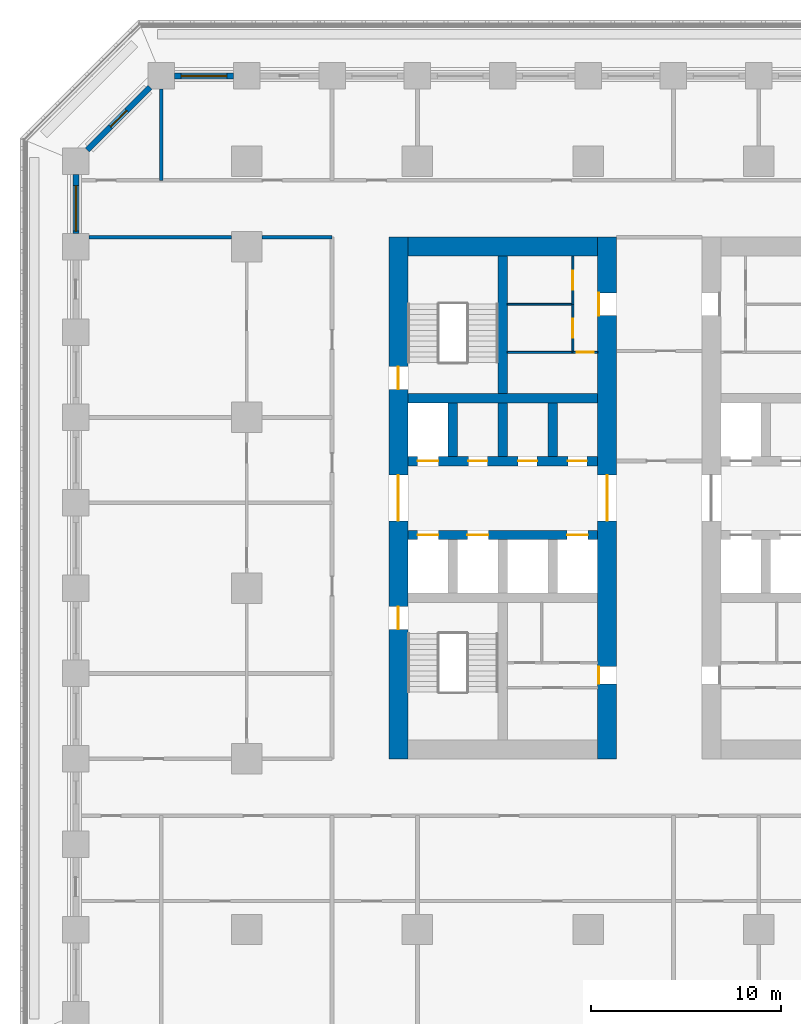
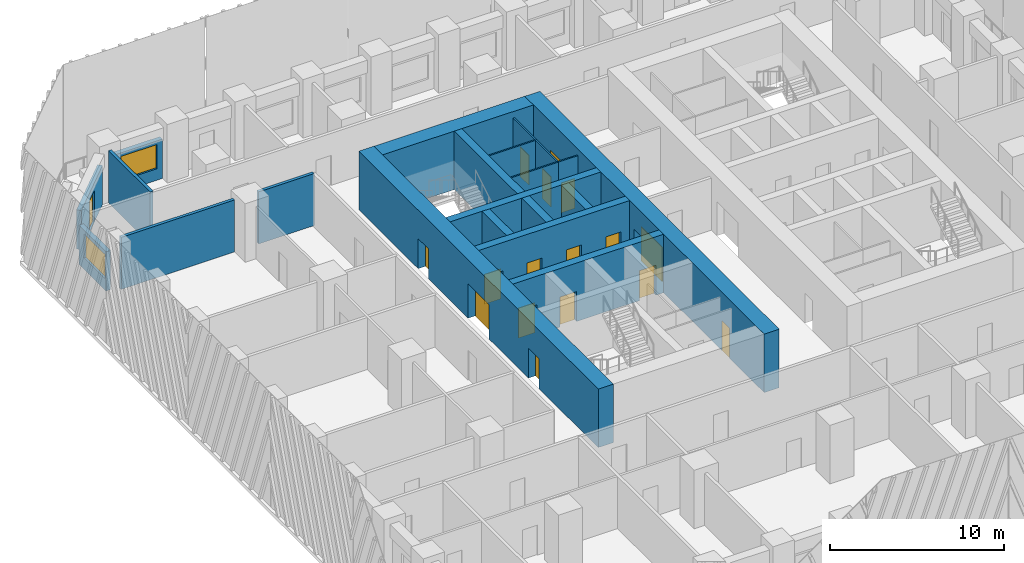
# One storey, part 6 of 15: 21 walls, 17 doors, 2 windows, 19 openings.
"""IFC4 building model written with IfcOpenShell, lengths in metres."""

from ifc_helpers import new_model, si_unit, direction, frame, frame_2d, origin, place, context, subcontext, project, spatial, rectangle, extrude, material, layer, layer_set, type_object, element, fill, save


model = new_model("IFC4")

# Units and contexts
model_context = context("Model", 3, precision=1e-05, world=origin(), true_north=direction((0.0, 1.0)))
body_context = subcontext(model_context, "Body", "Model", "MODEL_VIEW")
ifc_project = project(units=[si_unit("LENGTHUNIT", "METRE"), si_unit("AREAUNIT", "SQUARE_METRE"), si_unit("VOLUMEUNIT", "CUBIC_METRE"), si_unit("PLANEANGLEUNIT", "RADIAN"), si_unit("MASSUNIT", "GRAM", prefix="KILO")], contexts=[model_context])

# Site, building, storey
site_placement = place(None, origin())
site = spatial("IfcSite", under=ifc_project, at=site_placement, CompositionType="ELEMENT")
building_placement = place(site_placement, origin())
building = spatial("IfcBuilding", under=site, at=building_placement, Name="Corbel Stack Research Tower", CompositionType="ELEMENT")
storey_placement = place(building_placement, frame((0.0, 0.0, 23.60009765625)))
storey = spatial("IfcBuildingStorey", under=building, at=storey_placement, Name="L05", CompositionType="ELEMENT", Elevation=23.60009765625)

# Wall, openings, doors
ifc_material_1 = material(Name="Concrete C70/85", Category="concrete")
ifc_layer_1 = layer(ifc_material_1, 1.0)
ifc_layer_set_1 = layer_set([ifc_layer_1], Name="Concrete C70/85")
wall_type_1 = type_object("IfcWallType", Name="CW-1000-70", PredefinedType="SHEAR", material=ifc_layer_set_1)
wall_1_placement = place(storey_placement, frame((-10.0, -9.0, 0.0), z_axis=(0.0, 0.0, 1.0), x_axis=(0.0, 1.0, 0.0)))
wall_1 = element("IfcWall", 1, at=wall_1_placement, inside=storey, type_object=wall_type_1, Name="West core wall, west face L05", PredefinedType="SHEAR", context=body_context, shape_type="SweptSolid", body=[
    extrude(rectangle(XDim=27.5, YDim=1.0, at=frame_2d((13.75, 0.0))), origin(), (0.0, 0.0, 1.0), 4.099853515625),
])
opening_1_placement = place(wall_1_placement, frame((12.550048828125, 0.0, 0.0)))
opening_1 = element("IfcOpeningElement", 2, at=opening_1_placement, cuts=wall_1, Name="Opening CD-W-W", PredefinedType="OPENING", context=body_context, shape_type="SweptSolid", body=[
    extrude(rectangle(XDim=2.39990234375, YDim=2.39990234375, at=frame_2d((1.199951171875, 1.199951171875))), frame((0.0, 0.510009765625, 0.0), z_axis=(0.0, -1.0, 0.0), x_axis=(1.0, 0.0, 0.0)), (0.0, 0.0, 1.0), 1.02001953125),
])
opening_2_placement = place(wall_1_placement, frame((6.824951171875, 0.0, 0.0)))
opening_2 = element("IfcOpeningElement", 3, at=opening_2_placement, cuts=wall_1, Name="Opening SD-ST-W1", PredefinedType="OPENING", context=body_context, shape_type="SweptSolid", body=[
    extrude(rectangle(XDim=1.199951171875, YDim=2.10009765625, at=frame_2d((0.60009765625, 1.050048828125))), frame((0.0, 0.510009765625, 0.0), z_axis=(0.0, -1.0, 0.0), x_axis=(1.0, 0.0, 0.0)), (0.0, 0.0, 1.0), 1.02001953125),
])
opening_3_placement = place(wall_1_placement, frame((19.47509765625, 0.0, 0.0)))
opening_3 = element("IfcOpeningElement", 4, at=opening_3_placement, cuts=wall_1, Name="Opening SD-ST-W2", PredefinedType="OPENING", context=body_context, shape_type="SweptSolid", body=[
    extrude(rectangle(XDim=1.199951171875, YDim=2.10009765625, at=frame_2d((0.60009765625, 1.050048828125))), frame((0.0, 0.510009765625, 0.0), z_axis=(0.0, -1.0, 0.0), x_axis=(1.0, 0.0, 0.0)), (0.0, 0.0, 1.0), 1.02001953125),
])
ifc_material_2 = material(Name="Painted steel fire door", Category="steel")
door_type_1 = type_object("IfcDoorType", Name="Lobby door pair 2400 x 2400 FD30S", OperationType="DOUBLE_DOOR_DOUBLE_SWING", PredefinedType="DOOR", material=ifc_material_2)
door_1_placement = place(opening_1_placement, origin())
door_1 = element("IfcDoor", 5, at=door_1_placement, inside=storey, type_object=door_type_1, Name="Lift lobby door W core W", OperationType="DOUBLE_DOOR_DOUBLE_SWING", OverallHeight=2.39990234375, OverallWidth=2.39990234375, PredefinedType="DOOR", context=body_context, shape_type="SweptSolid", body=[
    extrude(rectangle(XDim=2.39990234375, YDim=2.39990234375, at=frame_2d((1.199951171875, 1.199951171875))), frame((0.0, 0.02490234375, 0.0), z_axis=(0.0, -1.0, 0.0), x_axis=(1.0, 0.0, 0.0)), (0.0, 0.0, 1.0), 0.050048828125),
])
fill(opening_1, door_1)
ifc_material_3 = material(Name="Painted steel fire door", Category="steel")
door_type_2 = type_object("IfcDoorType", Name="Stair door 1200 x 2100 FD90 left hand", OperationType="SINGLE_SWING_LEFT", PredefinedType="DOOR", material=ifc_material_3)
door_2_placement = place(opening_2_placement, origin())
door_2 = element("IfcDoor", 6, at=door_2_placement, inside=storey, type_object=door_type_2, Name="Stair door ST-W1", OperationType="SINGLE_SWING_LEFT", OverallHeight=2.10009765625, OverallWidth=1.199951171875, PredefinedType="DOOR", context=body_context, shape_type="SweptSolid", body=[
    extrude(rectangle(XDim=1.199951171875, YDim=2.10009765625, at=frame_2d((0.60009765625, 1.050048828125))), frame((0.0, 0.02490234375, 0.0), z_axis=(0.0, -1.0, 0.0), x_axis=(1.0, 0.0, 0.0)), (0.0, 0.0, 1.0), 0.050048828125),
])
fill(opening_2, door_2)
door_3_placement = place(opening_3_placement, origin())
door_3 = element("IfcDoor", 7, at=door_3_placement, inside=storey, type_object=door_type_2, Name="Stair door ST-W2", OperationType="SINGLE_SWING_LEFT", OverallHeight=2.10009765625, OverallWidth=1.199951171875, PredefinedType="DOOR", context=body_context, shape_type="SweptSolid", body=[
    extrude(rectangle(XDim=1.199951171875, YDim=2.10009765625, at=frame_2d((0.60009765625, 1.050048828125))), frame((0.0, 0.02490234375, 0.0), z_axis=(0.0, -1.0, 0.0), x_axis=(1.0, 0.0, 0.0)), (0.0, 0.0, 1.0), 0.050048828125),
])
fill(opening_3, door_3)

wall_2_placement = place(storey_placement, frame((1.0, -9.0, 0.0), z_axis=(0.0, 0.0, 1.0), x_axis=(0.0, 1.0, 0.0)))
wall_2 = element("IfcWall", 8, at=wall_2_placement, inside=storey, type_object=wall_type_1, Name="West core wall, east face L05", PredefinedType="SHEAR", context=body_context, shape_type="SweptSolid", body=[
    extrude(rectangle(XDim=27.5, YDim=1.0, at=frame_2d((13.75, 0.0))), origin(), (0.0, 0.0, 1.0), 4.099853515625),
])
opening_4_placement = place(wall_2_placement, frame((12.550048828125, 0.0, 0.0)))
opening_4 = element("IfcOpeningElement", 9, at=opening_4_placement, cuts=wall_2, Name="Opening CD-W-E", PredefinedType="OPENING", context=body_context, shape_type="SweptSolid", body=[
    extrude(rectangle(XDim=2.39990234375, YDim=2.39990234375, at=frame_2d((1.199951171875, 1.199951171875))), frame((0.0, 0.510009765625, 0.0), z_axis=(0.0, -1.0, 0.0), x_axis=(1.0, 0.0, 0.0)), (0.0, 0.0, 1.0), 1.02001953125),
])
opening_5_placement = place(wall_2_placement, frame((3.955078125, 0.0, 0.0)))
opening_5 = element("IfcOpeningElement", 10, at=opening_5_placement, cuts=wall_2, Name="Opening CR-W24-W1-905", PredefinedType="OPENING", context=body_context, shape_type="SweptSolid", body=[
    extrude(rectangle(XDim=0.905029296875, YDim=2.10009765625, at=frame_2d((0.45263671875, 1.050048828125))), frame((0.0, 0.510009765625, 0.0), z_axis=(0.0, -1.0, 0.0), x_axis=(1.0, 0.0, 0.0)), (0.0, 0.0, 1.0), 1.02001953125),
])
opening_6_placement = place(wall_2_placement, frame((23.362548828125, 0.0, 0.0)))
opening_6 = element("IfcOpeningElement", 11, at=opening_6_placement, cuts=wall_2, Name="Opening CR-W24-R2-1200", PredefinedType="OPENING", context=body_context, shape_type="SweptSolid", body=[
    extrude(rectangle(XDim=1.199951171875, YDim=2.10009765625, at=frame_2d((0.60009765625, 1.050048828125))), frame((0.0, 0.510009765625, 0.0), z_axis=(0.0, -1.0, 0.0), x_axis=(1.0, 0.0, 0.0)), (0.0, 0.0, 1.0), 1.02001953125),
])
door_4_placement = place(opening_4_placement, origin())
door_4 = element("IfcDoor", 12, at=door_4_placement, inside=storey, type_object=door_type_1, Name="Lift lobby door W core E", OperationType="DOUBLE_DOOR_DOUBLE_SWING", OverallHeight=2.39990234375, OverallWidth=2.39990234375, PredefinedType="DOOR", context=body_context, shape_type="SweptSolid", body=[
    extrude(rectangle(XDim=2.39990234375, YDim=2.39990234375, at=frame_2d((1.199951171875, 1.199951171875))), frame((0.0, 0.02490234375, 0.0), z_axis=(0.0, -1.0, 0.0), x_axis=(1.0, 0.0, 0.0)), (0.0, 0.0, 1.0), 0.050048828125),
])
fill(opening_4, door_4)
ifc_material_4 = material(Name="Painted steel door", Category="steel")
door_type_3 = type_object("IfcDoorType", Name="Service door 1200 x 2100 FD30 right hand", OperationType="SINGLE_SWING_RIGHT", PredefinedType="DOOR", material=ifc_material_4)
door_5_placement = place(opening_6_placement, origin())
door_5 = element("IfcDoor", 13, at=door_5_placement, inside=storey, type_object=door_type_3, Name="Service passage door W core", OperationType="SINGLE_SWING_RIGHT", OverallHeight=2.10009765625, OverallWidth=1.199951171875, PredefinedType="DOOR", context=body_context, shape_type="SweptSolid", body=[
    extrude(rectangle(XDim=1.199951171875, YDim=2.10009765625, at=frame_2d((0.60009765625, 1.050048828125))), frame((0.0, 0.47509765625, 0.0), z_axis=(0.0, -1.0, 0.0), x_axis=(1.0, 0.0, 0.0)), (0.0, 0.0, 1.0), 0.050048828125),
])
fill(opening_6, door_5)
ifc_material_5 = material(Name="Painted timber door", Category="wood")
door_type_4 = type_object("IfcDoorType", Name="WC door 905 x 2100 left hand", OperationType="SINGLE_SWING_LEFT", PredefinedType="DOOR", material=ifc_material_5)
door_6_placement = place(opening_5_placement, origin())
door_6 = element("IfcDoor", 14, at=door_6_placement, inside=storey, type_object=door_type_4, Name="WC lobby door W core", OperationType="SINGLE_SWING_LEFT", OverallHeight=2.10009765625, OverallWidth=0.905029296875, PredefinedType="DOOR", context=body_context, shape_type="SweptSolid", body=[
    extrude(rectangle(XDim=0.905029296875, YDim=2.10009765625, at=frame_2d((0.45263671875, 1.050048828125))), frame((0.0, 0.47509765625, 0.0), z_axis=(0.0, -1.0, 0.0), x_axis=(1.0, 0.0, 0.0)), (0.0, 0.0, 1.0), 0.050048828125),
])
fill(opening_5, door_6)

# Wall
wall_3_placement = place(storey_placement, frame((-9.5, 18.0, 0.0), z_axis=(0.0, 0.0, 1.0), x_axis=(1.0, 0.0, 0.0)))
element("IfcWall", 15, at=wall_3_placement, inside=storey, type_object=wall_type_1, Name="West core wall, north end L05", PredefinedType="SHEAR", context=body_context, shape_type="SweptSolid", body=[
    extrude(rectangle(XDim=10.0, YDim=1.0, at=frame_2d((5.0, 0.0))), origin(), (0.0, 0.0, 1.0), 4.099853515625),
])

# Wall, openings, doors
ifc_material_6 = material(Name="Concrete C70/85", Category="concrete")
ifc_layer_2 = layer(ifc_material_6, 0.5)
ifc_layer_set_2 = layer_set([ifc_layer_2], Name="Concrete C70/85")
wall_type_2 = type_object("IfcWallType", Name="CW-500-70", PredefinedType="SHEAR", material=ifc_layer_set_2)
wall_4_placement = place(storey_placement, frame((-9.5, 2.800048828125, 0.0), z_axis=(0.0, 0.0, 1.0), x_axis=(1.0, 0.0, 0.0)))
wall_4 = element("IfcWall", 16, at=wall_4_placement, inside=storey, type_object=wall_type_2, Name="West core wall, lobby south L05", PredefinedType="SHEAR", context=body_context, shape_type="SweptSolid", body=[
    extrude(rectangle(XDim=10.0, YDim=0.5, at=frame_2d((5.0, 0.0))), origin(), (0.0, 0.0, 1.0), 4.099853515625),
])
opening_7_placement = place(wall_4_placement, frame((0.512451171875, 0.0, 0.0)))
opening_7 = element("IfcOpeningElement", 17, at=opening_7_placement, cuts=wall_4, Name="Opening LD-FS1", PredefinedType="OPENING", context=body_context, shape_type="SweptSolid", body=[
    extrude(rectangle(XDim=1.10009765625, YDim=2.10009765625, at=frame_2d((0.550048828125, 1.050048828125))), frame((0.0, 0.260009765625, 0.0), z_axis=(0.0, -1.0, 0.0), x_axis=(1.0, 0.0, 0.0)), (0.0, 0.0, 1.0), 0.52001953125),
])
opening_8_placement = place(wall_4_placement, frame((3.137451171875, 0.0, 0.0)))
opening_8 = element("IfcOpeningElement", 18, at=opening_8_placement, cuts=wall_4, Name="Opening LD-GL1", PredefinedType="OPENING", context=body_context, shape_type="SweptSolid", body=[
    extrude(rectangle(XDim=1.10009765625, YDim=2.10009765625, at=frame_2d((0.550048828125, 1.050048828125))), frame((0.0, 0.260009765625, 0.0), z_axis=(0.0, -1.0, 0.0), x_axis=(1.0, 0.0, 0.0)), (0.0, 0.0, 1.0), 0.52001953125),
])
opening_9_placement = place(wall_4_placement, frame((8.387451171875, 0.0, 0.0)))
opening_9 = element("IfcOpeningElement", 19, at=opening_9_placement, cuts=wall_4, Name="Opening LD-LR1", PredefinedType="OPENING", context=body_context, shape_type="SweptSolid", body=[
    extrude(rectangle(XDim=1.10009765625, YDim=2.10009765625, at=frame_2d((0.550048828125, 1.050048828125))), frame((0.0, 0.260009765625, 0.0), z_axis=(0.0, -1.0, 0.0), x_axis=(1.0, 0.0, 0.0)), (0.0, 0.0, 1.0), 0.52001953125),
])
ifc_material_7 = material(Name="Stainless steel landing door", Category="steel")
door_type_5 = type_object("IfcDoorType", Name="Lift landing door 1100 x 2100", OperationType="DOUBLE_DOOR_SLIDING", PredefinedType="DOOR", material=ifc_material_7)
door_7_placement = place(opening_7_placement, origin())
door_7 = element("IfcDoor", 20, at=door_7_placement, inside=storey, type_object=door_type_5, Name="Landing door FS1", OperationType="DOUBLE_DOOR_SLIDING", OverallHeight=2.10009765625, OverallWidth=1.10009765625, PredefinedType="DOOR", context=body_context, shape_type="SweptSolid", body=[
    extrude(rectangle(XDim=1.10009765625, YDim=2.10009765625, at=frame_2d((0.550048828125, 1.050048828125))), frame((0.0, 0.02490234375, 0.0), z_axis=(0.0, -1.0, 0.0), x_axis=(1.0, 0.0, 0.0)), (0.0, 0.0, 1.0), 0.050048828125),
])
fill(opening_7, door_7)
door_8_placement = place(opening_8_placement, origin())
door_8 = element("IfcDoor", 21, at=door_8_placement, inside=storey, type_object=door_type_5, Name="Landing door GL1", OperationType="DOUBLE_DOOR_SLIDING", OverallHeight=2.10009765625, OverallWidth=1.10009765625, PredefinedType="DOOR", context=body_context, shape_type="SweptSolid", body=[
    extrude(rectangle(XDim=1.10009765625, YDim=2.10009765625, at=frame_2d((0.550048828125, 1.050048828125))), frame((0.0, 0.02490234375, 0.0), z_axis=(0.0, -1.0, 0.0), x_axis=(1.0, 0.0, 0.0)), (0.0, 0.0, 1.0), 0.050048828125),
])
fill(opening_8, door_8)
door_9_placement = place(opening_9_placement, origin())
door_9 = element("IfcDoor", 22, at=door_9_placement, inside=storey, type_object=door_type_5, Name="Landing door LR1", OperationType="DOUBLE_DOOR_SLIDING", OverallHeight=2.10009765625, OverallWidth=1.10009765625, PredefinedType="DOOR", context=body_context, shape_type="SweptSolid", body=[
    extrude(rectangle(XDim=1.10009765625, YDim=2.10009765625, at=frame_2d((0.550048828125, 1.050048828125))), frame((0.0, 0.02490234375, 0.0), z_axis=(0.0, -1.0, 0.0), x_axis=(1.0, 0.0, 0.0)), (0.0, 0.0, 1.0), 0.050048828125),
])
fill(opening_9, door_9)

wall_5_placement = place(storey_placement, frame((-9.5, 6.699951171875, 0.0), z_axis=(0.0, 0.0, 1.0), x_axis=(1.0, 0.0, 0.0)))
wall_5 = element("IfcWall", 23, at=wall_5_placement, inside=storey, type_object=wall_type_2, Name="West core wall, lobby north L05", PredefinedType="SHEAR", context=body_context, shape_type="SweptSolid", body=[
    extrude(rectangle(XDim=10.0, YDim=0.5, at=frame_2d((5.0, 0.0))), origin(), (0.0, 0.0, 1.0), 4.099853515625),
])
opening_10_placement = place(wall_5_placement, frame((0.512451171875, 0.0, 0.0)))
opening_10 = element("IfcOpeningElement", 24, at=opening_10_placement, cuts=wall_5, Name="Opening LD-LR2", PredefinedType="OPENING", context=body_context, shape_type="SweptSolid", body=[
    extrude(rectangle(XDim=1.10009765625, YDim=2.10009765625, at=frame_2d((0.550048828125, 1.050048828125))), frame((0.0, 0.260009765625, 0.0), z_axis=(0.0, -1.0, 0.0), x_axis=(1.0, 0.0, 0.0)), (0.0, 0.0, 1.0), 0.52001953125),
])
opening_11_placement = place(wall_5_placement, frame((3.1875, 0.0, 0.0)))
opening_11 = element("IfcOpeningElement", 25, at=opening_11_placement, cuts=wall_5, Name="Opening CR-W24-N2", PredefinedType="OPENING", context=body_context, shape_type="SweptSolid", body=[
    extrude(rectangle(XDim=1.0, YDim=2.10009765625, at=frame_2d((0.5, 1.050048828125))), frame((0.0, 0.260009765625, 0.0), z_axis=(0.0, -1.0, 0.0), x_axis=(1.0, 0.0, 0.0)), (0.0, 0.0, 1.0), 0.52001953125),
])
opening_12_placement = place(wall_5_placement, frame((5.8125, 0.0, 0.0)))
opening_12 = element("IfcOpeningElement", 26, at=opening_12_placement, cuts=wall_5, Name="Opening CR-W24-N3", PredefinedType="OPENING", context=body_context, shape_type="SweptSolid", body=[
    extrude(rectangle(XDim=1.0, YDim=2.10009765625, at=frame_2d((0.5, 1.050048828125))), frame((0.0, 0.260009765625, 0.0), z_axis=(0.0, -1.0, 0.0), x_axis=(1.0, 0.0, 0.0)), (0.0, 0.0, 1.0), 0.52001953125),
])
opening_13_placement = place(wall_5_placement, frame((8.4375, 0.0, 0.0)))
opening_13 = element("IfcOpeningElement", 27, at=opening_13_placement, cuts=wall_5, Name="Opening CR-W24-N4", PredefinedType="OPENING", context=body_context, shape_type="SweptSolid", body=[
    extrude(rectangle(XDim=1.0, YDim=2.10009765625, at=frame_2d((0.5, 1.050048828125))), frame((0.0, 0.260009765625, 0.0), z_axis=(0.0, -1.0, 0.0), x_axis=(1.0, 0.0, 0.0)), (0.0, 0.0, 1.0), 0.52001953125),
])
door_10_placement = place(opening_10_placement, origin())
door_10 = element("IfcDoor", 28, at=door_10_placement, inside=storey, type_object=door_type_5, Name="Landing door LR2", OperationType="DOUBLE_DOOR_SLIDING", OverallHeight=2.10009765625, OverallWidth=1.10009765625, PredefinedType="DOOR", context=body_context, shape_type="SweptSolid", body=[
    extrude(rectangle(XDim=1.10009765625, YDim=2.10009765625, at=frame_2d((0.550048828125, 1.050048828125))), frame((0.0, 0.02490234375, 0.0), z_axis=(0.0, -1.0, 0.0), x_axis=(1.0, 0.0, 0.0)), (0.0, 0.0, 1.0), 0.050048828125),
])
fill(opening_10, door_10)
ifc_material_8 = material(Name="Painted steel door", Category="steel")
door_type_6 = type_object("IfcDoorType", Name="Service door 1000 x 2100 FD60 left hand", OperationType="SINGLE_SWING_LEFT", PredefinedType="DOOR", material=ifc_material_8)
door_11_placement = place(opening_12_placement, origin())
door_11 = element("IfcDoor", 29, at=door_11_placement, inside=storey, type_object=door_type_6, Name="Electrical room door W core", OperationType="SINGLE_SWING_LEFT", OverallHeight=2.10009765625, OverallWidth=1.0, PredefinedType="DOOR", context=body_context, shape_type="SweptSolid", body=[
    extrude(rectangle(XDim=1.0, YDim=2.10009765625, at=frame_2d((0.5, 1.050048828125))), frame((0.0, 0.02490234375, 0.0), z_axis=(0.0, -1.0, 0.0), x_axis=(1.0, 0.0, 0.0)), (0.0, 0.0, 1.0), 0.050048828125),
])
fill(opening_12, door_11)
ifc_material_9 = material(Name="Painted steel door", Category="steel")
door_type_7 = type_object("IfcDoorType", Name="Service door 1000 x 2100 FD60 right hand", OperationType="SINGLE_SWING_RIGHT", PredefinedType="DOOR", material=ifc_material_9)
door_12_placement = place(opening_11_placement, origin())
door_12 = element("IfcDoor", 30, at=door_12_placement, inside=storey, type_object=door_type_7, Name="Records store door W core", OperationType="SINGLE_SWING_RIGHT", OverallHeight=2.10009765625, OverallWidth=1.0, PredefinedType="DOOR", context=body_context, shape_type="SweptSolid", body=[
    extrude(rectangle(XDim=1.0, YDim=2.10009765625, at=frame_2d((0.5, 1.050048828125))), frame((0.0, 0.02490234375, 0.0), z_axis=(0.0, -1.0, 0.0), x_axis=(1.0, 0.0, 0.0)), (0.0, 0.0, 1.0), 0.050048828125),
])
fill(opening_11, door_12)
door_13_placement = place(opening_13_placement, origin())
door_13 = element("IfcDoor", 31, at=door_13_placement, inside=storey, type_object=door_type_7, Name="Pantry door W core", OperationType="SINGLE_SWING_RIGHT", OverallHeight=2.10009765625, OverallWidth=1.0, PredefinedType="DOOR", context=body_context, shape_type="SweptSolid", body=[
    extrude(rectangle(XDim=1.0, YDim=2.10009765625, at=frame_2d((0.5, 1.050048828125))), frame((0.0, 0.02490234375, 0.0), z_axis=(0.0, -1.0, 0.0), x_axis=(1.0, 0.0, 0.0)), (0.0, 0.0, 1.0), 0.050048828125),
])
fill(opening_13, door_13)

# Walls
wall_6_placement = place(storey_placement, frame((-9.5, 10.0, 0.0), z_axis=(0.0, 0.0, 1.0), x_axis=(1.0, 0.0, 0.0)))
element("IfcWall", 32, at=wall_6_placement, inside=storey, type_object=wall_type_2, Name="West core wall, north row back L05", PredefinedType="SHEAR", context=body_context, shape_type="SweptSolid", body=[
    extrude(rectangle(XDim=10.0, YDim=0.5, at=frame_2d((5.0, 0.0))), origin(), (0.0, 0.0, 1.0), 4.099853515625),
])
for number, where, z_axis, x_axis, name in (
    (33, (-7.125, 6.949951171875, 0.0), (0.0, 0.0, 1.0), (0.0, 1.0, 0.0), "West core wall, north shaft 1 L05"),
    (34, (-4.5, 6.949951171875, 0.0), (0.0, 0.0, 1.0), (0.0, 1.0, 0.0), "West core wall, north shaft 2 L05"),
    (35, (-1.875, 6.949951171875, 0.0), (0.0, 0.0, 1.0), (0.0, 1.0, 0.0), "West core wall, north shaft 3 L05"),
):
    element("IfcWall", number, at=place(storey_placement, frame(where, z_axis=z_axis, x_axis=x_axis)), inside=storey, type_object=wall_type_2, Name=name, PredefinedType="SHEAR", context=body_context, shape_type="SweptSolid", body=[
        extrude(rectangle(XDim=2.800048828125, YDim=0.5, at=frame_2d((1.39990234375, 0.0))), origin(), (0.0, 0.0, 1.0), 4.099853515625),
    ])
wall_7_placement = place(storey_placement, frame((-4.5, 10.25, 0.0), z_axis=(0.0, 0.0, 1.0), x_axis=(0.0, 1.0, 0.0)))
element("IfcWall", 36, at=wall_7_placement, inside=storey, type_object=wall_type_2, Name="West core wall, north stair and riser L05", PredefinedType="SHEAR", context=body_context, shape_type="SweptSolid", body=[
    extrude(rectangle(XDim=7.25, YDim=0.5, at=frame_2d((3.625, 0.0))), origin(), (0.0, 0.0, 1.0), 4.099853515625),
])

# Wall, opening, door
ifc_material_10 = material(Name="Gypsum board")
ifc_layer_3 = layer(ifc_material_10, 0.10009765625)
ifc_layer_set_3 = layer_set([ifc_layer_3], Name="Gypsum board")
wall_type_3 = type_object("IfcWallType", Name="Core partition 100", PredefinedType="PARTITIONING", material=ifc_layer_set_3)
wall_8_placement = place(storey_placement, frame((-0.800048828125, 12.425048828125, 0.0), z_axis=(0.0, 0.0, 1.0), x_axis=(1.0, 0.0, 0.0)))
wall_8 = element("IfcWall", 37, at=wall_8_placement, inside=storey, type_object=wall_type_3, Name="Core partition W", PredefinedType="PARTITIONING", context=body_context, shape_type="SweptSolid", body=[
    extrude(rectangle(XDim=1.300048828125, YDim=0.10009765625, at=frame_2d((0.64990234375, 0.0))), origin(), (0.0, 0.0, 1.0), 3.64990234375),
])
opening_14_placement = place(wall_8_placement, frame((0.199951171875, 0.0, 0.0)))
opening_14 = element("IfcOpeningElement", 38, at=opening_14_placement, cuts=wall_8, Name="Opening CR-W24-R1-900", PredefinedType="OPENING", context=body_context, shape_type="SweptSolid", body=[
    extrude(rectangle(XDim=0.89990234375, YDim=2.10009765625, at=frame_2d((0.449951171875, 1.050048828125))), frame((0.0, 0.06005859375, 0.0), z_axis=(0.0, -1.0, 0.0), x_axis=(1.0, 0.0, 0.0)), (0.0, 0.0, 1.0), 0.1201171875),
])
ifc_material_11 = material(Name="Painted steel door", Category="steel")
door_type_8 = type_object("IfcDoorType", Name="Riser door 900 x 2100 FD60 left hand", OperationType="SINGLE_SWING_LEFT", PredefinedType="DOOR", material=ifc_material_11)
door_14_placement = place(opening_14_placement, origin())
door_14 = element("IfcDoor", 39, at=door_14_placement, inside=storey, type_object=door_type_8, Name="Electrical riser door W core", OperationType="SINGLE_SWING_LEFT", OverallHeight=2.10009765625, OverallWidth=0.89990234375, PredefinedType="DOOR", context=body_context, shape_type="SweptSolid", body=[
    extrude(rectangle(XDim=0.89990234375, YDim=2.10009765625, at=frame_2d((0.449951171875, 1.050048828125))), frame((0.0, 0.02490234375, 0.0), z_axis=(0.0, -1.0, 0.0), x_axis=(1.0, 0.0, 0.0)), (0.0, 0.0, 1.0), 0.050048828125),
])
fill(opening_14, door_14)

# Wall
wall_9_placement = place(storey_placement, frame((-4.25, 12.425048828125, 0.0), z_axis=(0.0, 0.0, 1.0), x_axis=(1.0, 0.0, 0.0)))
element("IfcWall", 40, at=wall_9_placement, inside=storey, type_object=wall_type_3, Name="Core partition W", PredefinedType="PARTITIONING", context=body_context, shape_type="SweptSolid", body=[
    extrude(rectangle(XDim=3.449951171875, YDim=0.10009765625, at=frame_2d((1.72509765625, 0.0))), origin(), (0.0, 0.0, 1.0), 3.64990234375),
])

# Wall, opening, door
wall_10_placement = place(storey_placement, frame((-0.800048828125, 12.425048828125, 0.0), z_axis=(0.0, 0.0, 1.0), x_axis=(0.0, 1.0, 0.0)))
wall_10 = element("IfcWall", 41, at=wall_10_placement, inside=storey, type_object=wall_type_3, Name="Core partition W", PredefinedType="PARTITIONING", context=body_context, shape_type="SweptSolid", body=[
    extrude(rectangle(XDim=2.537353515625, YDim=0.10009765625, at=frame_2d((1.2685546875, 0.0))), origin(), (0.0, 0.0, 1.0), 3.64990234375),
])
opening_15_placement = place(wall_10_placement, frame((0.768798828125, 0.0, 0.0)))
opening_15 = element("IfcOpeningElement", 42, at=opening_15_placement, cuts=wall_10, Name="Opening CR-W24-R3-1000", PredefinedType="OPENING", context=body_context, shape_type="SweptSolid", body=[
    extrude(rectangle(XDim=1.0, YDim=2.10009765625, at=frame_2d((0.5, 1.050048828125))), frame((0.0, 0.06005859375, 0.0), z_axis=(0.0, -1.0, 0.0), x_axis=(1.0, 0.0, 0.0)), (0.0, 0.0, 1.0), 0.1201171875),
])
ifc_material_12 = material(Name="Painted steel door", Category="steel")
door_type_9 = type_object("IfcDoorType", Name="Service door 1000 x 2100 FD30 left hand", OperationType="SINGLE_SWING_LEFT", PredefinedType="DOOR", material=ifc_material_12)
door_15_placement = place(opening_15_placement, origin())
door_15 = element("IfcDoor", 43, at=door_15_placement, inside=storey, type_object=door_type_9, Name="Pantry door W core", OperationType="SINGLE_SWING_LEFT", OverallHeight=2.10009765625, OverallWidth=1.0, PredefinedType="DOOR", context=body_context, shape_type="SweptSolid", body=[
    extrude(rectangle(XDim=1.0, YDim=2.10009765625, at=frame_2d((0.5, 1.050048828125))), frame((0.0, 0.02490234375, 0.0), z_axis=(0.0, -1.0, 0.0), x_axis=(1.0, 0.0, 0.0)), (0.0, 0.0, 1.0), 0.050048828125),
])
fill(opening_15, door_15)

wall_11_placement = place(storey_placement, frame((-0.800048828125, 14.96240234375, 0.0), z_axis=(0.0, 0.0, 1.0), x_axis=(0.0, 1.0, 0.0)))
wall_11 = element("IfcWall", 44, at=wall_11_placement, inside=storey, type_object=wall_type_3, Name="Core partition W", PredefinedType="PARTITIONING", context=body_context, shape_type="SweptSolid", body=[
    extrude(rectangle(XDim=2.53759765625, YDim=0.10009765625, at=frame_2d((1.268798828125, 0.0))), origin(), (0.0, 0.0, 1.0), 3.64990234375),
])
opening_16_placement = place(wall_11_placement, frame((0.768798828125, 0.0, 0.0)))
opening_16 = element("IfcOpeningElement", 45, at=opening_16_placement, cuts=wall_11, Name="Opening CR-W24-R4-1000", PredefinedType="OPENING", context=body_context, shape_type="SweptSolid", body=[
    extrude(rectangle(XDim=1.0, YDim=2.10009765625, at=frame_2d((0.5, 1.050048828125))), frame((0.0, 0.06005859375, 0.0), z_axis=(0.0, -1.0, 0.0), x_axis=(1.0, 0.0, 0.0)), (0.0, 0.0, 1.0), 0.1201171875),
])
ifc_material_13 = material(Name="Painted steel door", Category="steel")
door_type_10 = type_object("IfcDoorType", Name="Service door 1000 x 2100 FD30 right hand", OperationType="SINGLE_SWING_RIGHT", PredefinedType="DOOR", material=ifc_material_13)
door_16_placement = place(opening_16_placement, origin())
door_16 = element("IfcDoor", 46, at=door_16_placement, inside=storey, type_object=door_type_10, Name="Copy and supply store door W core", OperationType="SINGLE_SWING_RIGHT", OverallHeight=2.10009765625, OverallWidth=1.0, PredefinedType="DOOR", context=body_context, shape_type="SweptSolid", body=[
    extrude(rectangle(XDim=1.0, YDim=2.10009765625, at=frame_2d((0.5, 1.050048828125))), frame((0.0, 0.02490234375, 0.0), z_axis=(0.0, -1.0, 0.0), x_axis=(1.0, 0.0, 0.0)), (0.0, 0.0, 1.0), 0.050048828125),
])
fill(opening_16, door_16)

# Walls
wall_12_placement = place(storey_placement, frame((-4.25, 14.96240234375, 0.0), z_axis=(0.0, 0.0, 1.0), x_axis=(1.0, 0.0, 0.0)))
element("IfcWall", 47, at=wall_12_placement, inside=storey, type_object=wall_type_3, Name="Core partition W", PredefinedType="PARTITIONING", context=body_context, shape_type="SweptSolid", body=[
    extrude(rectangle(XDim=3.449951171875, YDim=0.10009765625, at=frame_2d((1.72509765625, 0.0))), origin(), (0.0, 0.0, 1.0), 3.64990234375),
])
ifc_material_14 = material(Name="Fire-rated gypsum board partition on steel studs", Category="steel")
ifc_layer_4 = layer(ifc_material_14, 0.199951171875)
ifc_layer_set_4 = layer_set([ifc_layer_4], Name="Fire-rated gypsum board partition on steel studs")
wall_type_4 = type_object("IfcWallType", Name="Fire-rated partition 200 EI 60", PredefinedType="PARTITIONING", material=ifc_layer_set_4)
wall_13_placement = place(storey_placement, frame((-22.5, 21.5, 0.0), z_axis=(0.0, 0.0, 1.0), x_axis=(0.0, 1.0, 0.0)))
element("IfcWall", 48, at=wall_13_placement, inside=storey, type_object=wall_type_4, Name="Partition L05-002", PredefinedType="PARTITIONING", context=body_context, shape_type="SweptSolid", body=[
    extrude(rectangle(XDim=4.800048828125, YDim=0.199951171875, at=frame_2d((2.39990234375, 0.0))), origin(), (0.0, 0.0, 1.0), 3.64990234375),
])
wall_14_placement = place(storey_placement, frame((-26.300048828125, 18.5, 0.0), z_axis=(0.0, 0.0, 1.0), x_axis=(1.0, 0.0, 0.0)))
element("IfcWall", 49, at=wall_14_placement, inside=storey, type_object=wall_type_4, Name="Partition L05-040", PredefinedType="PARTITIONING", context=body_context, shape_type="SweptSolid", body=[
    extrude(rectangle(XDim=7.5, YDim=0.199951171875, at=frame_2d((3.75, 0.0))), origin(), (0.0, 0.0, 1.0), 3.64990234375),
])
wall_15_placement = place(storey_placement, frame((-17.199951171875, 18.5, 0.0), z_axis=(0.0, 0.0, 1.0), x_axis=(1.0, 0.0, 0.0)))
element("IfcWall", 50, at=wall_15_placement, inside=storey, type_object=wall_type_4, Name="Partition L05-041", PredefinedType="PARTITIONING", context=body_context, shape_type="SweptSolid", body=[
    extrude(rectangle(XDim=3.699951171875, YDim=0.199951171875, at=frame_2d((1.85009765625, 0.0))), origin(), (0.0, 0.0, 1.0), 3.64990234375),
])

# Wall, opening, window
ifc_material_15 = material(Name="Concrete C45/55", Category="concrete")
ifc_layer_5 = layer(ifc_material_15, 0.300048828125)
ifc_layer_set_5 = layer_set([ifc_layer_5], Name="Concrete C45/55")
wall_type_5 = type_object("IfcWallType", Name="Terracotta-faced concrete wall 300", PredefinedType="SOLIDWALL", material=ifc_layer_set_5)
wall_16_placement = place(storey_placement, frame((-21.800048828125, 27.0, 0.0), z_axis=(0.0, 0.0, 1.0), x_axis=(1.0, 0.0, 0.0)))
wall_16 = element("IfcWall", 51, at=wall_16_placement, inside=storey, type_object=wall_type_5, Name="Facade wall L05 N10", PredefinedType="SOLIDWALL", context=body_context, shape_type="SweptSolid", body=[
    extrude(rectangle(XDim=3.10009765625, YDim=0.300048828125, at=frame_2d((1.550048828125, 0.0))), origin(), (0.0, 0.0, 1.0), 2.75),
])
opening_17_placement = place(wall_16_placement, frame((0.35009765625, 0.0, 0.800048828125)))
opening_17 = element("IfcOpeningElement", 52, at=opening_17_placement, cuts=wall_16, Name="Opening W1", PredefinedType="OPENING", context=body_context, shape_type="SweptSolid", body=[
    extrude(rectangle(XDim=2.39990234375, YDim=1.699951171875, at=frame_2d((1.199951171875, 0.85009765625))), frame((0.0, 0.159912109375, 0.0), z_axis=(0.0, -1.0, 0.0), x_axis=(1.0, 0.0, 0.0)), (0.0, 0.0, 1.0), 0.320068359375),
])
ifc_material_16 = material(Name="Aluminium frame, clear double glazing", Category="aluminium")
window_type = type_object("IfcWindowType", Name="Window W1 2400 x 1700", PartitioningType="SINGLE_PANEL", PredefinedType="WINDOW", material=ifc_material_16)
window_1_placement = place(opening_17_placement, origin())
window_1 = element("IfcWindow", 53, at=window_1_placement, inside=storey, type_object=window_type, Name="Window W1 L05 N10", OverallHeight=1.699951171875, OverallWidth=2.39990234375, PartitioningType="SINGLE_PANEL", PredefinedType="WINDOW", context=body_context, shape_type="SweptSolid", body=[
    extrude(rectangle(XDim=2.39990234375, YDim=1.699951171875, at=frame_2d((1.199951171875, 0.85009765625))), frame((0.0, 0.030029296875, 0.0), z_axis=(0.0, -1.0, 0.0), x_axis=(1.0, 0.0, 0.0)), (0.0, 0.0, 1.0), 0.06005859375),
])
fill(opening_17, window_1)

# Wall, opening, door
wall_17_placement = place(storey_placement, frame((-26.406005859375, 23.093994140625, 0.0), z_axis=(0.0, 0.0, 1.0), x_axis=(0.707106781187, 0.707106781187, 0.0)))
wall_17 = element("IfcWall", 54, at=wall_17_placement, inside=storey, type_object=wall_type_5, Name="Facade wall L05 NW01", PredefinedType="SOLIDWALL", context=body_context, shape_type="SweptSolid", body=[
    extrude(rectangle(XDim=4.683837890625, YDim=0.300048828125, at=frame_2d((2.341796875, 0.0))), origin(), (0.0, 0.0, 1.0), 2.75),
])
opening_18_placement = place(wall_17_placement, frame((1.741943359375, 0.0, 0.0)))
opening_18 = element("IfcOpeningElement", 55, at=opening_18_placement, cuts=wall_17, Name="Opening L05-B09", PredefinedType="OPENING", context=body_context, shape_type="SweptSolid", body=[
    extrude(rectangle(XDim=1.199951171875, YDim=2.199951171875, at=frame_2d((0.60009765625, 1.10009765625))), frame((0.0, 0.159912109375, 0.0), z_axis=(0.0, -1.0, 0.0), x_axis=(1.0, 0.0, 0.0)), (0.0, 0.0, 1.0), 0.320068359375),
])
ifc_material_17 = material(Name="Aluminium frame, clear double glazing", Category="aluminium")
door_type_11 = type_object("IfcDoorType", Name="Balcony door BD2 1200 x 2200", OperationType="NOTDEFINED", PredefinedType="DOOR", material=ifc_material_17)
door_17_placement = place(opening_18_placement, origin())
door_17 = element("IfcDoor", 56, at=door_17_placement, inside=storey, type_object=door_type_11, Name="Balcony door L05-B09", OperationType="SINGLE_SWING_RIGHT", OverallHeight=2.199951171875, OverallWidth=1.199951171875, PredefinedType="DOOR", context=body_context, shape_type="SweptSolid", body=[
    extrude(rectangle(XDim=1.199951171875, YDim=2.199951171875, at=frame_2d((0.60009765625, 1.10009765625))), frame((0.0, 0.02490234375, 0.0), z_axis=(0.0, -1.0, 0.0), x_axis=(1.0, 0.0, 0.0)), (0.0, 0.0, 1.0), 0.050048828125),
])
fill(opening_18, door_17)

# Wall, opening, window
wall_18_placement = place(storey_placement, frame((-27.0, 18.699951171875, 0.0), z_axis=(0.0, 0.0, 1.0), x_axis=(0.0, 1.0, 0.0)))
wall_18 = element("IfcWall", 57, at=wall_18_placement, inside=storey, type_object=wall_type_5, Name="Facade wall L05 W01", PredefinedType="SOLIDWALL", context=body_context, shape_type="SweptSolid", body=[
    extrude(rectangle(XDim=3.10009765625, YDim=0.300048828125, at=frame_2d((1.550048828125, 0.0))), origin(), (0.0, 0.0, 1.0), 2.75),
])
opening_19_placement = place(wall_18_placement, frame((0.125, 0.0, 0.800048828125)))
opening_19 = element("IfcOpeningElement", 58, at=opening_19_placement, cuts=wall_18, Name="Opening W1", PredefinedType="OPENING", context=body_context, shape_type="SweptSolid", body=[
    extrude(rectangle(XDim=2.39990234375, YDim=1.699951171875, at=frame_2d((1.199951171875, 0.85009765625))), frame((0.0, 0.159912109375, 0.0), z_axis=(0.0, -1.0, 0.0), x_axis=(1.0, 0.0, 0.0)), (0.0, 0.0, 1.0), 0.320068359375),
])
window_2_placement = place(opening_19_placement, origin())
window_2 = element("IfcWindow", 59, at=window_2_placement, inside=storey, type_object=window_type, Name="Window W1 L05 W01", OverallHeight=1.699951171875, OverallWidth=2.39990234375, PartitioningType="SINGLE_PANEL", PredefinedType="WINDOW", context=body_context, shape_type="SweptSolid", body=[
    extrude(rectangle(XDim=2.39990234375, YDim=1.699951171875, at=frame_2d((1.199951171875, 0.85009765625))), frame((0.0, 0.030029296875, 0.0), z_axis=(0.0, -1.0, 0.0), x_axis=(1.0, 0.0, 0.0)), (0.0, 0.0, 1.0), 0.06005859375),
])
fill(opening_19, window_2)

save(model, "model.ifc")
